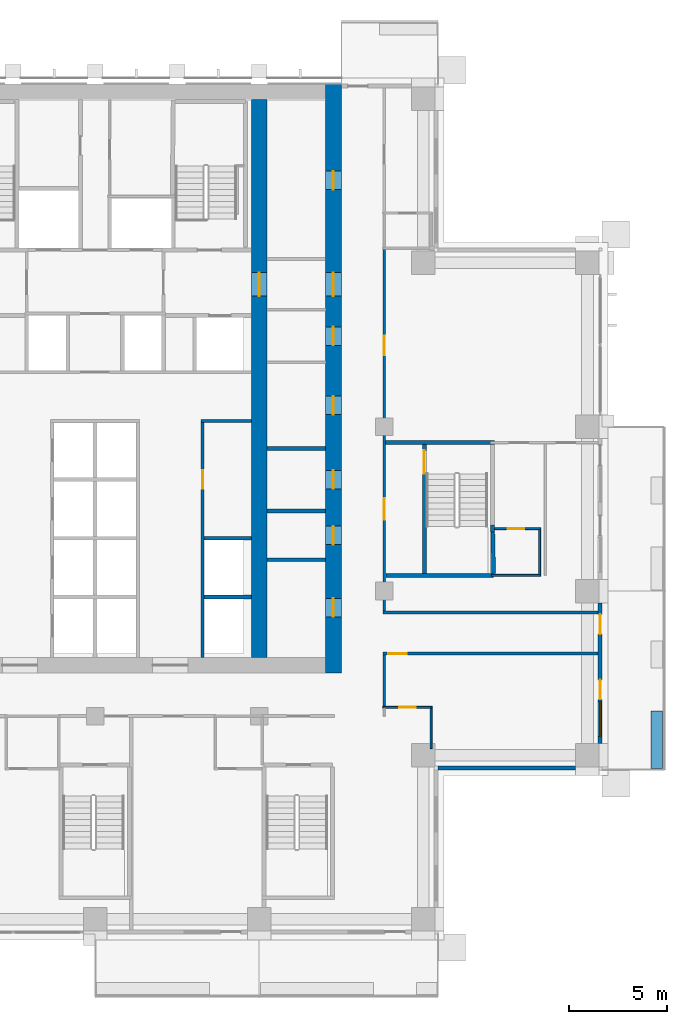
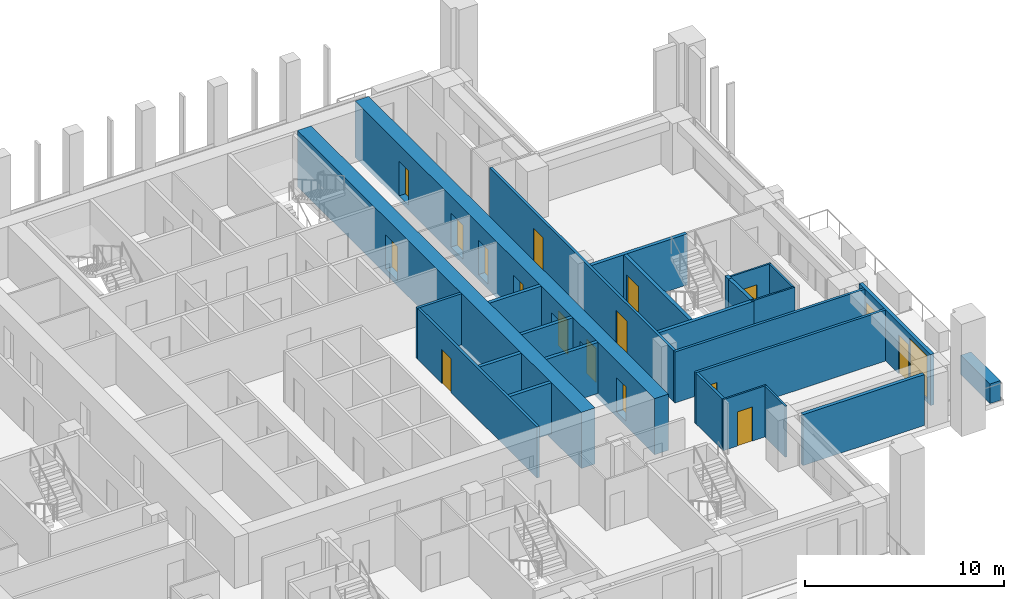
# One storey, part 11 of 19: 26 walls, 17 doors, 1 window, 18 openings.
"""IFC4 building model written with IfcOpenShell, lengths in metres."""

from ifc_helpers import new_model, si_unit, direction, frame, frame_2d, origin, place, context, subcontext, project, spatial, rectangle, extrude, material, layer, layer_set, type_object, element, fill, save


model = new_model("IFC4")

# Units and contexts
model_context = context("Model", 3, precision=1e-05, world=origin(), true_north=direction((0.0, 1.0)))
body_context = subcontext(model_context, "Body", "Model", "MODEL_VIEW")
ifc_project = project(units=[si_unit("LENGTHUNIT", "METRE"), si_unit("AREAUNIT", "SQUARE_METRE"), si_unit("VOLUMEUNIT", "CUBIC_METRE"), si_unit("PLANEANGLEUNIT", "RADIAN"), si_unit("MASSUNIT", "GRAM", prefix="KILO")], contexts=[model_context])

# Site, building, storey
site_placement = place(None, origin())
site = spatial("IfcSite", under=ifc_project, at=site_placement, CompositionType="ELEMENT")
building_placement = place(site_placement, origin())
building = spatial("IfcBuilding", under=site, at=building_placement, Name="Vermilion Ogive Tower", CompositionType="ELEMENT")
storey_placement = place(building_placement, frame((0.0, 0.0, 104.550048828125)))
storey = spatial("IfcBuildingStorey", under=building, at=storey_placement, Name="L26", CompositionType="ELEMENT", Elevation=104.550048828125)

# Wall, openings, doors
ifc_material_1 = material(Name="Concrete B80", Category="concrete")
ifc_layer_1 = layer(ifc_material_1, 0.800048828125)
ifc_layer_set_1 = layer_set([ifc_layer_1], Name="Core wall 800 B80")
wall_type_1 = type_object("IfcWallType", Name="Core wall 800 B80", PredefinedType="SHEAR", material=ifc_layer_set_1)
wall_1_placement = place(storey_placement, frame((12.199951171875, -8.39990234375, -0.320068359375), z_axis=(0.0, 0.0, 1.0), x_axis=(0.0, 1.0, 0.0)))
wall_1 = element("IfcWall", 1, at=wall_1_placement, inside=storey, type_object=wall_type_1, Name="L26-CORE-E", PredefinedType="SHEAR", context=body_context, shape_type="SweptSolid", body=[
    extrude(rectangle(XDim=30.14990234375, YDim=0.800048828125, at=frame_2d((15.074951171875, 0.0))), origin(), (0.0, 0.0, 1.0), 3.449951171875),
])
opening_1_placement = place(wall_1_placement, frame((2.875, 0.0, 0.320068359375)))
opening_1 = element("IfcOpeningElement", 2, at=opening_1_placement, cuts=wall_1, Name="Opening DAC050", PredefinedType="OPENING", context=body_context, shape_type="SweptSolid", body=[
    extrude(rectangle(XDim=0.949951171875, YDim=2.10009765625, at=frame_2d((0.47509765625, 1.050048828125))), frame((0.0, 0.409912109375, 0.0), z_axis=(0.0, -1.0, 0.0), x_axis=(1.0, 0.0, 0.0)), (0.0, 0.0, 1.0), 0.820068359375),
])
opening_2_placement = place(wall_1_placement, frame((6.574951171875, 0.0, 0.320068359375)))
opening_2 = element("IfcOpeningElement", 3, at=opening_2_placement, cuts=wall_1, Name="Opening DAC051", PredefinedType="OPENING", context=body_context, shape_type="SweptSolid", body=[
    extrude(rectangle(XDim=0.949951171875, YDim=2.10009765625, at=frame_2d((0.47509765625, 1.050048828125))), frame((0.0, 0.409912109375, 0.0), z_axis=(0.0, -1.0, 0.0), x_axis=(1.0, 0.0, 0.0)), (0.0, 0.0, 1.0), 0.820068359375),
])
opening_3_placement = place(wall_1_placement, frame((9.425048828125, 0.0, 0.320068359375)))
opening_3 = element("IfcOpeningElement", 4, at=opening_3_placement, cuts=wall_1, Name="Opening DAC052", PredefinedType="OPENING", context=body_context, shape_type="SweptSolid", body=[
    extrude(rectangle(XDim=0.949951171875, YDim=2.10009765625, at=frame_2d((0.47509765625, 1.050048828125))), frame((0.0, 0.409912109375, 0.0), z_axis=(0.0, -1.0, 0.0), x_axis=(1.0, 0.0, 0.0)), (0.0, 0.0, 1.0), 0.820068359375),
])
opening_4_placement = place(wall_1_placement, frame((13.22509765625, 0.0, 0.320068359375)))
opening_4 = element("IfcOpeningElement", 5, at=opening_4_placement, cuts=wall_1, Name="Opening DAC053", PredefinedType="OPENING", context=body_context, shape_type="SweptSolid", body=[
    extrude(rectangle(XDim=0.949951171875, YDim=2.10009765625, at=frame_2d((0.47509765625, 1.050048828125))), frame((0.0, 0.409912109375, 0.0), z_axis=(0.0, -1.0, 0.0), x_axis=(1.0, 0.0, 0.0)), (0.0, 0.0, 1.0), 0.820068359375),
])
opening_5_placement = place(wall_1_placement, frame((16.77490234375, 0.0, 0.320068359375)))
opening_5 = element("IfcOpeningElement", 6, at=opening_5_placement, cuts=wall_1, Name="Opening DAC054", PredefinedType="OPENING", context=body_context, shape_type="SweptSolid", body=[
    extrude(rectangle(XDim=0.949951171875, YDim=2.10009765625, at=frame_2d((0.47509765625, 1.050048828125))), frame((0.0, 0.409912109375, 0.0), z_axis=(0.0, -1.0, 0.0), x_axis=(1.0, 0.0, 0.0)), (0.0, 0.0, 1.0), 0.820068359375),
])
opening_6_placement = place(wall_1_placement, frame((24.75, 0.0, 0.320068359375)))
opening_6 = element("IfcOpeningElement", 7, at=opening_6_placement, cuts=wall_1, Name="Opening DAC055", PredefinedType="OPENING", context=body_context, shape_type="SweptSolid", body=[
    extrude(rectangle(XDim=0.949951171875, YDim=2.10009765625, at=frame_2d((0.47509765625, 1.050048828125))), frame((0.0, 0.409912109375, 0.0), z_axis=(0.0, -1.0, 0.0), x_axis=(1.0, 0.0, 0.0)), (0.0, 0.0, 1.0), 0.820068359375),
])
opening_7_placement = place(wall_1_placement, frame((19.300048828125, 0.0, 0.320068359375)))
opening_7 = element("IfcOpeningElement", 8, at=opening_7_placement, cuts=wall_1, Name="Opening DAL010", PredefinedType="OPENING", context=body_context, shape_type="SweptSolid", body=[
    extrude(rectangle(XDim=1.199951171875, YDim=2.10009765625, at=frame_2d((0.60009765625, 1.050048828125))), frame((0.0, 0.409912109375, 0.0), z_axis=(0.0, -1.0, 0.0), x_axis=(1.0, 0.0, 0.0)), (0.0, 0.0, 1.0), 0.820068359375),
])
ifc_material_2 = material(Name="Timber door leaf", Category="wood")
door_type_1 = type_object("IfcDoorType", Name="Link door 1200 x 2100 FD60S", OperationType="SINGLE_SWING_LEFT", PredefinedType="DOOR", material=ifc_material_2)
door_1_placement = place(opening_7_placement, origin())
door_1 = element("IfcDoor", 9, at=door_1_placement, inside=storey, type_object=door_type_1, Name="L26-CKE-XL", OperationType="SINGLE_SWING_LEFT", OverallHeight=2.10009765625, OverallWidth=1.199951171875, PredefinedType="DOOR", context=body_context, shape_type="SweptSolid", body=[
    extrude(rectangle(XDim=1.199951171875, YDim=2.10009765625, at=frame_2d((0.60009765625, 1.050048828125))), frame((0.0, 0.02490234375, 0.0), z_axis=(0.0, -1.0, 0.0), x_axis=(1.0, 0.0, 0.0)), (0.0, 0.0, 1.0), 0.050048828125),
])
fill(opening_7, door_1)
ifc_material_3 = material(Name="Timber door leaf", Category="wood")
door_type_2 = type_object("IfcDoorType", Name="Service door 950 x 2100 FD60", OperationType="SINGLE_SWING_LEFT", PredefinedType="DOOR", material=ifc_material_3)
door_2_placement = place(opening_1_placement, origin())
door_2 = element("IfcDoor", 10, at=door_2_placement, inside=storey, type_object=door_type_2, Name="L26-CKE-XR0", OperationType="SINGLE_SWING_LEFT", OverallHeight=2.10009765625, OverallWidth=0.949951171875, PredefinedType="DOOR", context=body_context, shape_type="SweptSolid", body=[
    extrude(rectangle(XDim=0.949951171875, YDim=2.10009765625, at=frame_2d((0.47509765625, 1.050048828125))), frame((0.0, 0.02490234375, 0.0), z_axis=(0.0, -1.0, 0.0), x_axis=(1.0, 0.0, 0.0)), (0.0, 0.0, 1.0), 0.050048828125),
])
fill(opening_1, door_2)
door_3_placement = place(opening_2_placement, origin())
door_3 = element("IfcDoor", 11, at=door_3_placement, inside=storey, type_object=door_type_2, Name="L26-CKE-XR1", OperationType="SINGLE_SWING_LEFT", OverallHeight=2.10009765625, OverallWidth=0.949951171875, PredefinedType="DOOR", context=body_context, shape_type="SweptSolid", body=[
    extrude(rectangle(XDim=0.949951171875, YDim=2.10009765625, at=frame_2d((0.47509765625, 1.050048828125))), frame((0.0, 0.02490234375, 0.0), z_axis=(0.0, -1.0, 0.0), x_axis=(1.0, 0.0, 0.0)), (0.0, 0.0, 1.0), 0.050048828125),
])
fill(opening_2, door_3)
door_4_placement = place(opening_3_placement, origin())
door_4 = element("IfcDoor", 12, at=door_4_placement, inside=storey, type_object=door_type_2, Name="L26-CKE-XR2", OperationType="SINGLE_SWING_LEFT", OverallHeight=2.10009765625, OverallWidth=0.949951171875, PredefinedType="DOOR", context=body_context, shape_type="SweptSolid", body=[
    extrude(rectangle(XDim=0.949951171875, YDim=2.10009765625, at=frame_2d((0.47509765625, 1.050048828125))), frame((0.0, 0.02490234375, 0.0), z_axis=(0.0, -1.0, 0.0), x_axis=(1.0, 0.0, 0.0)), (0.0, 0.0, 1.0), 0.050048828125),
])
fill(opening_3, door_4)
door_5_placement = place(opening_4_placement, origin())
door_5 = element("IfcDoor", 13, at=door_5_placement, inside=storey, type_object=door_type_2, Name="L26-CKE-XR3", OperationType="SINGLE_SWING_LEFT", OverallHeight=2.10009765625, OverallWidth=0.949951171875, PredefinedType="DOOR", context=body_context, shape_type="SweptSolid", body=[
    extrude(rectangle(XDim=0.949951171875, YDim=2.10009765625, at=frame_2d((0.47509765625, 1.050048828125))), frame((0.0, 0.02490234375, 0.0), z_axis=(0.0, -1.0, 0.0), x_axis=(1.0, 0.0, 0.0)), (0.0, 0.0, 1.0), 0.050048828125),
])
fill(opening_4, door_5)
door_6_placement = place(opening_5_placement, origin())
door_6 = element("IfcDoor", 14, at=door_6_placement, inside=storey, type_object=door_type_2, Name="L26-CKE-XR4", OperationType="SINGLE_SWING_LEFT", OverallHeight=2.10009765625, OverallWidth=0.949951171875, PredefinedType="DOOR", context=body_context, shape_type="SweptSolid", body=[
    extrude(rectangle(XDim=0.949951171875, YDim=2.10009765625, at=frame_2d((0.47509765625, 1.050048828125))), frame((0.0, 0.02490234375, 0.0), z_axis=(0.0, -1.0, 0.0), x_axis=(1.0, 0.0, 0.0)), (0.0, 0.0, 1.0), 0.050048828125),
])
fill(opening_5, door_6)
door_7_placement = place(opening_6_placement, origin())
door_7 = element("IfcDoor", 15, at=door_7_placement, inside=storey, type_object=door_type_2, Name="L26-CKE-XR5", OperationType="SINGLE_SWING_LEFT", OverallHeight=2.10009765625, OverallWidth=0.949951171875, PredefinedType="DOOR", context=body_context, shape_type="SweptSolid", body=[
    extrude(rectangle(XDim=0.949951171875, YDim=2.10009765625, at=frame_2d((0.47509765625, 1.050048828125))), frame((0.0, 0.02490234375, 0.0), z_axis=(0.0, -1.0, 0.0), x_axis=(1.0, 0.0, 0.0)), (0.0, 0.0, 1.0), 0.050048828125),
])
fill(opening_6, door_7)

# Wall, opening, door
wall_2_placement = place(storey_placement, frame((8.39990234375, -7.60009765625, -0.320068359375), z_axis=(0.0, 0.0, 1.0), x_axis=(0.0, 1.0, 0.0)))
wall_2 = element("IfcWall", 16, at=wall_2_placement, inside=storey, type_object=wall_type_1, Name="L26-CORE-WEB2", PredefinedType="SHEAR", context=body_context, shape_type="SweptSolid", body=[
    extrude(rectangle(XDim=28.550048828125, YDim=0.800048828125, at=frame_2d((14.27490234375, 0.0))), origin(), (0.0, 0.0, 1.0), 3.449951171875),
])
opening_8_placement = place(wall_2_placement, frame((18.5, 0.0, 0.320068359375)))
opening_8 = element("IfcOpeningElement", 17, at=opening_8_placement, cuts=wall_2, Name="Opening DAO010", PredefinedType="OPENING", context=body_context, shape_type="SweptSolid", body=[
    extrude(rectangle(XDim=1.199951171875, YDim=2.10009765625, at=frame_2d((0.60009765625, 1.050048828125))), frame((0.0, 0.409912109375, 0.0), z_axis=(0.0, -1.0, 0.0), x_axis=(1.0, 0.0, 0.0)), (0.0, 0.0, 1.0), 0.820068359375),
])
door_8_placement = place(opening_8_placement, origin())
door_8 = element("IfcDoor", 18, at=door_8_placement, inside=storey, type_object=door_type_1, Name="L26-CKE-XW", OperationType="SINGLE_SWING_LEFT", OverallHeight=2.10009765625, OverallWidth=1.199951171875, PredefinedType="DOOR", context=body_context, shape_type="SweptSolid", body=[
    extrude(rectangle(XDim=1.199951171875, YDim=2.10009765625, at=frame_2d((0.60009765625, 1.050048828125))), frame((0.0, 0.02490234375, 0.0), z_axis=(0.0, -1.0, 0.0), x_axis=(1.0, 0.0, 0.0)), (0.0, 0.0, 1.0), 0.050048828125),
])
fill(opening_8, door_8)

ifc_material_4 = material(Name="Gypsum board partition on steel studs", Category="steel")
ifc_layer_2 = layer(ifc_material_4, 0.10009765625)
ifc_layer_set_2 = layer_set([ifc_layer_2], Name="Partition 100 bath")
wall_type_2 = type_object("IfcWallType", Name="Partition 100 bath", PredefinedType="PARTITIONING", material=ifc_layer_set_2)
wall_3_placement = place(storey_placement, frame((14.72509765625, -10.159912109375, 0.0), z_axis=(0.0, 0.0, 1.0), x_axis=(1.0, 0.0, 0.0)))
wall_3 = element("IfcWall", 19, at=wall_3_placement, inside=storey, type_object=wall_type_2, Name="L26-W-W013", PredefinedType="PARTITIONING", context=body_context, shape_type="SweptSolid", body=[
    extrude(rectangle(XDim=2.52490234375, YDim=0.10009765625, at=frame_2d((1.262451171875, 0.0))), origin(), (0.0, 0.0, 1.0), 3.1298828125),
])
opening_9_placement = place(wall_3_placement, frame((0.849853515625, 0.0, 0.0)))
opening_9 = element("IfcOpeningElement", 20, at=opening_9_placement, cuts=wall_3, Name="Opening D2G4014", PredefinedType="OPENING", context=body_context, shape_type="SweptSolid", body=[
    extrude(rectangle(XDim=0.85009765625, YDim=2.10009765625, at=frame_2d((0.425048828125, 1.050048828125))), frame((0.0, 0.06005859375, 0.0), z_axis=(0.0, -1.0, 0.0), x_axis=(1.0, 0.0, 0.0)), (0.0, 0.0, 1.0), 0.1201171875),
])
ifc_material_5 = material(Name="Timber door leaf", Category="wood")
door_type_3 = type_object("IfcDoorType", Name="Bath door 850 x 2100 FD30", OperationType="SINGLE_SWING_LEFT", PredefinedType="DOOR", material=ifc_material_5)
door_9_placement = place(opening_9_placement, origin())
door_9 = element("IfcDoor", 21, at=door_9_placement, inside=storey, type_object=door_type_3, Name="L26-D-D014", OperationType="SINGLE_SWING_RIGHT", OverallHeight=2.10009765625, OverallWidth=0.85009765625, PredefinedType="DOOR", context=body_context, shape_type="SweptSolid", body=[
    extrude(rectangle(XDim=0.85009765625, YDim=2.10009765625, at=frame_2d((0.425048828125, 1.050048828125))), frame((0.0, 0.02490234375, 0.0), z_axis=(0.0, -1.0, 0.0), x_axis=(1.0, 0.0, 0.0)), (0.0, 0.0, 1.0), 0.050048828125),
])
fill(opening_9, door_9)

# Wall
wall_4_placement = place(storey_placement, frame((20.300048828125, -3.39990234375, 0.0), z_axis=(0.0, 0.0, 1.0), x_axis=(1.0, 0.0, 0.0)))
element("IfcWall", 22, at=wall_4_placement, inside=storey, type_object=wall_type_2, Name="L26-W-W021", PredefinedType="PARTITIONING", context=body_context, shape_type="SweptSolid", body=[
    extrude(rectangle(XDim=2.5, YDim=0.10009765625, at=frame_2d((1.25, 0.0))), origin(), (0.0, 0.0, 1.0), 3.1298828125),
])

# Wall, opening, door
wall_5_placement = place(storey_placement, frame((20.449951171875, -1.0, 0.0), z_axis=(0.0, 0.0, 1.0), x_axis=(1.0, 0.0, 0.0)))
wall_5 = element("IfcWall", 23, at=wall_5_placement, inside=storey, type_object=wall_type_2, Name="L26-W-W022", PredefinedType="PARTITIONING", context=body_context, shape_type="SweptSolid", body=[
    extrude(rectangle(XDim=2.35009765625, YDim=0.10009765625, at=frame_2d((1.175048828125, 0.0))), origin(), (0.0, 0.0, 1.0), 3.1298828125),
])
opening_10_placement = place(wall_5_placement, frame((0.675048828125, 0.0, 0.0)))
opening_10 = element("IfcOpeningElement", 24, at=opening_10_placement, cuts=wall_5, Name="Opening D2G4018", PredefinedType="OPENING", context=body_context, shape_type="SweptSolid", body=[
    extrude(rectangle(XDim=0.85009765625, YDim=2.10009765625, at=frame_2d((0.425048828125, 1.050048828125))), frame((0.0, 0.06005859375, 0.0), z_axis=(0.0, -1.0, 0.0), x_axis=(1.0, 0.0, 0.0)), (0.0, 0.0, 1.0), 0.1201171875),
])
door_10_placement = place(opening_10_placement, origin())
door_10 = element("IfcDoor", 25, at=door_10_placement, inside=storey, type_object=door_type_3, Name="L26-D-D018", OperationType="SINGLE_SWING_RIGHT", OverallHeight=2.10009765625, OverallWidth=0.85009765625, PredefinedType="DOOR", context=body_context, shape_type="SweptSolid", body=[
    extrude(rectangle(XDim=0.85009765625, YDim=2.10009765625, at=frame_2d((0.425048828125, 1.050048828125))), frame((0.0, 0.02490234375, 0.0), z_axis=(0.0, -1.0, 0.0), x_axis=(1.0, 0.0, 0.0)), (0.0, 0.0, 1.0), 0.050048828125),
])
fill(opening_10, door_10)

# Walls
wall_6_placement = place(storey_placement, frame((17.199951171875, -12.260009765625, 0.0), z_axis=(0.0, 0.0, 1.0), x_axis=(0.0, 1.0, 0.0)))
element("IfcWall", 26, at=wall_6_placement, inside=storey, type_object=wall_type_2, Name="L26-W-W059", PredefinedType="PARTITIONING", context=body_context, shape_type="SweptSolid", body=[
    extrude(rectangle(XDim=2.050048828125, YDim=0.10009765625, at=frame_2d((1.02490234375, 0.0))), origin(), (0.0, 0.0, 1.0), 3.1298828125),
])
wall_7_placement = place(storey_placement, frame((22.75, -3.35009765625, 0.0), z_axis=(0.0, 0.0, 1.0), x_axis=(0.0, 1.0, 0.0)))
element("IfcWall", 27, at=wall_7_placement, inside=storey, type_object=wall_type_2, Name="L26-W-W063", PredefinedType="PARTITIONING", context=body_context, shape_type="SweptSolid", body=[
    extrude(rectangle(XDim=2.300048828125, YDim=0.10009765625, at=frame_2d((1.14990234375, 0.0))), origin(), (0.0, 0.0, 1.0), 3.1298828125),
])

# Wall, opening, door
ifc_material_6 = material(Name="Gypsum board partition on steel studs", Category="steel")
ifc_layer_3 = layer(ifc_material_6, 0.14990234375)
ifc_layer_set_3 = layer_set([ifc_layer_3], Name="Partition 150 corridor")
wall_type_3 = type_object("IfcWallType", Name="Partition 150 corridor", PredefinedType="PARTITIONING", material=ifc_layer_set_3)
wall_8_placement = place(storey_placement, frame((14.72509765625, -7.39990234375, 0.0), z_axis=(0.0, 0.0, 1.0), x_axis=(1.0, 0.0, 0.0)))
wall_8 = element("IfcWall", 28, at=wall_8_placement, inside=storey, type_object=wall_type_3, Name="L26-W-W015", PredefinedType="PARTITIONING", context=body_context, shape_type="SweptSolid", body=[
    extrude(rectangle(XDim=11.02490234375, YDim=0.14990234375, at=frame_2d((5.512451171875, 0.0))), origin(), (0.0, 0.0, 1.0), 3.1298828125),
])
opening_11_placement = place(wall_8_placement, frame((0.27490234375, 0.0, 0.0)))
opening_11 = element("IfcOpeningElement", 29, at=opening_11_placement, cuts=wall_8, Name="Opening D2G4013", PredefinedType="OPENING", context=body_context, shape_type="SweptSolid", body=[
    extrude(rectangle(XDim=0.949951171875, YDim=2.10009765625, at=frame_2d((0.47509765625, 1.050048828125))), frame((0.0, 0.0849609375, 0.0), z_axis=(0.0, -1.0, 0.0), x_axis=(1.0, 0.0, 0.0)), (0.0, 0.0, 1.0), 0.169921875),
])
ifc_material_7 = material(Name="Timber door leaf", Category="wood")
door_type_4 = type_object("IfcDoorType", Name="Unit door 950 x 2100 FD30S", OperationType="SINGLE_SWING_LEFT", PredefinedType="DOOR", material=ifc_material_7)
door_11_placement = place(opening_11_placement, origin())
door_11 = element("IfcDoor", 30, at=door_11_placement, inside=storey, type_object=door_type_4, Name="L26-D-D013", OperationType="SINGLE_SWING_RIGHT", OverallHeight=2.10009765625, OverallWidth=0.949951171875, PredefinedType="DOOR", context=body_context, shape_type="SweptSolid", body=[
    extrude(rectangle(XDim=0.949951171875, YDim=2.10009765625, at=frame_2d((0.47509765625, 1.050048828125))), frame((0.0, 0.02490234375, 0.0), z_axis=(0.0, -1.0, 0.0), x_axis=(1.0, 0.0, 0.0)), (0.0, 0.0, 1.0), 0.050048828125),
])
fill(opening_11, door_11)

# Walls
wall_9_placement = place(storey_placement, frame((14.72705078125, -5.300048828125, 0.0), z_axis=(0.0, 0.0, 1.0), x_axis=(1.0, 0.0, 0.0)))
element("IfcWall", 31, at=wall_9_placement, inside=storey, type_object=wall_type_3, Name="L26-W-W017", PredefinedType="PARTITIONING", context=body_context, shape_type="SweptSolid", body=[
    extrude(rectangle(XDim=11.02294921875, YDim=0.14990234375, at=frame_2d((5.511474609375, 0.0))), origin(), (0.0, 0.0, 1.0), 3.1298828125),
])
wall_10_placement = place(storey_placement, frame((14.800048828125, -10.110107421875, 0.0), z_axis=(0.0, 0.0, 1.0), x_axis=(0.0, 1.0, 0.0)))
element("IfcWall", 32, at=wall_10_placement, inside=storey, type_object=wall_type_3, Name="L26-W-W054", PredefinedType="PARTITIONING", context=body_context, shape_type="SweptSolid", body=[
    extrude(rectangle(XDim=2.635009765625, YDim=0.14990234375, at=frame_2d((1.3173828125, 0.0))), origin(), (0.0, 0.0, 1.0), 3.1298828125),
])

# Wall, openings, doors
wall_11_placement = place(storey_placement, frame((14.800048828125, -5.222900390625, 0.0), z_axis=(0.0, 0.0, 1.0), x_axis=(0.0, 1.0, 0.0)))
wall_11 = element("IfcWall", 33, at=wall_11_placement, inside=storey, type_object=wall_type_3, Name="L26-W-W055", PredefinedType="PARTITIONING", context=body_context, shape_type="SweptSolid", body=[
    extrude(rectangle(XDim=18.52294921875, YDim=0.14990234375, at=frame_2d((9.261474609375, 0.0))), origin(), (0.0, 0.0, 1.0), 3.1298828125),
])
opening_12_placement = place(wall_11_placement, frame((13.097900390625, 0.0, 0.0)))
opening_12 = element("IfcOpeningElement", 34, at=opening_12_placement, cuts=wall_11, Name="Opening D2G4016", PredefinedType="OPENING", context=body_context, shape_type="SweptSolid", body=[
    extrude(rectangle(XDim=1.0, YDim=2.10009765625, at=frame_2d((0.5, 1.050048828125))), frame((0.0, 0.0849609375, 0.0), z_axis=(0.0, -1.0, 0.0), x_axis=(1.0, 0.0, 0.0)), (0.0, 0.0, 1.0), 0.169921875),
])
opening_13_placement = place(wall_11_placement, frame((4.6728515625, 0.0, 0.0)))
opening_13 = element("IfcOpeningElement", 35, at=opening_13_placement, cuts=wall_11, Name="Opening D2G4027", PredefinedType="OPENING", context=body_context, shape_type="SweptSolid", body=[
    extrude(rectangle(XDim=1.10009765625, YDim=2.10009765625, at=frame_2d((0.550048828125, 1.050048828125))), frame((0.0, 0.0849609375, 0.0), z_axis=(0.0, -1.0, 0.0), x_axis=(1.0, 0.0, 0.0)), (0.0, 0.0, 1.0), 0.169921875),
])
ifc_material_8 = material(Name="Timber door leaf", Category="wood")
door_type_5 = type_object("IfcDoorType", Name="Stair door 1100 x 2100 FD60S", OperationType="SINGLE_SWING_LEFT", PredefinedType="DOOR", material=ifc_material_8)
door_12_placement = place(opening_13_placement, origin())
door_12 = element("IfcDoor", 36, at=door_12_placement, inside=storey, type_object=door_type_5, Name="L26-D-D027", OperationType="SINGLE_SWING_RIGHT", OverallHeight=2.10009765625, OverallWidth=1.10009765625, PredefinedType="DOOR", context=body_context, shape_type="SweptSolid", body=[
    extrude(rectangle(XDim=1.10009765625, YDim=2.10009765625, at=frame_2d((0.550048828125, 1.050048828125))), frame((0.0, 0.02490234375, 0.0), z_axis=(0.0, -1.0, 0.0), x_axis=(1.0, 0.0, 0.0)), (0.0, 0.0, 1.0), 0.050048828125),
])
fill(opening_13, door_12)
ifc_material_9 = material(Name="Timber door leaf", Category="wood")
door_type_6 = type_object("IfcDoorType", Name="Unit door 1000 x 2100 FD30S", OperationType="SINGLE_SWING_LEFT", PredefinedType="DOOR", material=ifc_material_9)
door_13_placement = place(opening_12_placement, origin())
door_13 = element("IfcDoor", 37, at=door_13_placement, inside=storey, type_object=door_type_6, Name="L26-D-D016", OperationType="SINGLE_SWING_RIGHT", OverallHeight=2.10009765625, OverallWidth=1.0, PredefinedType="DOOR", context=body_context, shape_type="SweptSolid", body=[
    extrude(rectangle(XDim=1.0, YDim=2.10009765625, at=frame_2d((0.5, 1.050048828125))), frame((0.0, 0.02490234375, 0.0), z_axis=(0.0, -1.0, 0.0), x_axis=(1.0, 0.0, 0.0)), (0.0, 0.0, 1.0), 0.050048828125),
])
fill(opening_12, door_13)

# Wall
wall_12_placement = place(storey_placement, frame((5.425048828125, 4.5, 0.0), z_axis=(0.0, 0.0, 1.0), x_axis=(1.0, 0.0, 0.0)))
element("IfcWall", 38, at=wall_12_placement, inside=storey, type_object=wall_type_3, Name="L26-CK-W-W011", PredefinedType="PARTITIONING", context=body_context, shape_type="SweptSolid", body=[
    extrude(rectangle(XDim=2.573974609375, YDim=0.14990234375, at=frame_2d((1.287109375, 0.0))), origin(), (0.0, 0.0, 1.0), 3.1298828125),
])

# Wall, opening, door
wall_13_placement = place(storey_placement, frame((5.5, -7.59912109375, 0.0), z_axis=(0.0, 0.0, 1.0), x_axis=(0.0, 1.0, 0.0)))
wall_13 = element("IfcWall", 39, at=wall_13_placement, inside=storey, type_object=wall_type_3, Name="L26-CK-W-W039", PredefinedType="PARTITIONING", context=body_context, shape_type="SweptSolid", body=[
    extrude(rectangle(XDim=12.024169921875, YDim=0.14990234375, at=frame_2d((6.01220703125, 0.0))), origin(), (0.0, 0.0, 1.0), 3.1298828125),
])
opening_14_placement = place(wall_13_placement, frame((8.6240234375, 0.0, 0.0)))
opening_14 = element("IfcOpeningElement", 40, at=opening_14_placement, cuts=wall_13, Name="Opening DAA213", PredefinedType="OPENING", context=body_context, shape_type="SweptSolid", body=[
    extrude(rectangle(XDim=0.949951171875, YDim=2.10009765625, at=frame_2d((0.47509765625, 1.050048828125))), frame((0.0, 0.0849609375, 0.0), z_axis=(0.0, -1.0, 0.0), x_axis=(1.0, 0.0, 0.0)), (0.0, 0.0, 1.0), 0.169921875),
])
door_14_placement = place(opening_14_placement, origin())
door_14 = element("IfcDoor", 41, at=door_14_placement, inside=storey, type_object=door_type_2, Name="L26-CK-D-D009", OperationType="SINGLE_SWING_LEFT", OverallHeight=2.10009765625, OverallWidth=0.949951171875, PredefinedType="DOOR", context=body_context, shape_type="SweptSolid", body=[
    extrude(rectangle(XDim=0.949951171875, YDim=2.10009765625, at=frame_2d((0.47509765625, 1.050048828125))), frame((0.0, 0.02490234375, 0.0), z_axis=(0.0, -1.0, 0.0), x_axis=(1.0, 0.0, 0.0)), (0.0, 0.0, 1.0), 0.050048828125),
])
fill(opening_14, door_14)

# Walls
ifc_material_10 = material(Name="Gypsum board partition on steel studs", Category="steel")
ifc_layer_4 = layer(ifc_material_10, 0.199951171875)
ifc_layer_set_4 = layer_set([ifc_layer_4], Name="Partition 200 party")
wall_type_4 = type_object("IfcWallType", Name="Partition 200 party", PredefinedType="PARTITIONING", material=ifc_layer_set_4)
for number, where, z_axis, x_axis, name in (
    (42, (5.574951171875, -4.5, 0.0), (0.0, 0.0, 1.0), (1.0, 0.0, 0.0), "L26-CK-W-W003"),
    (43, (5.574951171875, -1.5, 0.0), (0.0, 0.0, 1.0), (1.0, 0.0, 0.0), "L26-CK-W-W006"),
):
    element("IfcWall", number, at=place(storey_placement, frame(where, z_axis=z_axis, x_axis=x_axis)), inside=storey, type_object=wall_type_4, Name=name, PredefinedType="PARTITIONING", context=body_context, shape_type="SweptSolid", body=[
        extrude(rectangle(XDim=2.424072265625, YDim=0.199951171875, at=frame_2d((1.2119140625, 0.0))), origin(), (0.0, 0.0, 1.0), 3.1298828125),
    ])
for number, where, z_axis, x_axis, name in (
    (44, (8.801025390625, -2.60009765625, 0.0), (0.0, 0.0, 1.0), (1.0, 0.0, 0.0), "L26-CKE-W-W001"),
    (45, (8.801025390625, -0.10009765625, 0.0), (0.0, 0.0, 1.0), (1.0, 0.0, 0.0), "L26-CKE-W-W002"),
    (46, (8.801025390625, 3.10009765625, 0.0), (0.0, 0.0, 1.0), (1.0, 0.0, 0.0), "L26-CKE-W-W003"),
):
    element("IfcWall", number, at=place(storey_placement, frame(where, z_axis=z_axis, x_axis=x_axis)), inside=storey, type_object=wall_type_4, Name=name, PredefinedType="PARTITIONING", context=body_context, shape_type="SweptSolid", body=[
        extrude(rectangle(XDim=2.998046875, YDim=0.199951171875, at=frame_2d((1.4990234375, 0.0))), origin(), (0.0, 0.0, 1.0), 3.1298828125),
    ])
ifc_material_11 = material(Name="Concrete B60", Category="concrete")
ifc_layer_5 = layer(ifc_material_11, 0.199951171875)
ifc_layer_set_5 = layer_set([ifc_layer_5], Name="Stair shaft wall 200 Concrete B60")
wall_type_5 = type_object("IfcWallType", Name="Stair shaft wall 200 Concrete B60", PredefinedType="SOLIDWALL", material=ifc_layer_set_5)
wall_14_placement = place(storey_placement, frame((14.876953125, -3.39990234375, 0.0), z_axis=(0.0, 0.0, 1.0), x_axis=(1.0, 0.0, 0.0)))
element("IfcWall", 47, at=wall_14_placement, inside=storey, type_object=wall_type_5, Name="L26-W-W020", PredefinedType="SOLIDWALL", context=body_context, shape_type="SweptSolid", body=[
    extrude(rectangle(XDim=5.52294921875, YDim=0.199951171875, at=frame_2d((2.761474609375, 0.0))), origin(), (0.0, 0.0, 1.0), 3.1298828125),
])
wall_15_placement = place(storey_placement, frame((14.875, 3.39990234375, 0.0), z_axis=(0.0, 0.0, 1.0), x_axis=(1.0, 0.0, 0.0)))
element("IfcWall", 48, at=wall_15_placement, inside=storey, type_object=wall_type_5, Name="L26-W-W026", PredefinedType="SOLIDWALL", context=body_context, shape_type="SweptSolid", body=[
    extrude(rectangle(XDim=5.574951171875, YDim=0.199951171875, at=frame_2d((2.78759765625, 0.0))), origin(), (0.0, 0.0, 1.0), 3.1298828125),
])

# Wall, opening, door
wall_16_placement = place(storey_placement, frame((16.85009765625, -3.300048828125, 0.0), z_axis=(0.0, 0.0, 1.0), x_axis=(0.0, 1.0, 0.0)))
wall_16 = element("IfcWall", 49, at=wall_16_placement, inside=storey, type_object=wall_type_5, Name="L26-W-W058", PredefinedType="SOLIDWALL", context=body_context, shape_type="SweptSolid", body=[
    extrude(rectangle(XDim=6.60009765625, YDim=0.199951171875, at=frame_2d((3.300048828125, 0.0))), origin(), (0.0, 0.0, 1.0), 3.1298828125),
])
opening_15_placement = place(wall_16_placement, frame((5.10009765625, 0.0, 0.0)))
opening_15 = element("IfcOpeningElement", 50, at=opening_15_placement, cuts=wall_16, Name="Opening D2G4028", PredefinedType="OPENING", context=body_context, shape_type="SweptSolid", body=[
    extrude(rectangle(XDim=1.199951171875, YDim=2.10009765625, at=frame_2d((0.60009765625, 1.050048828125))), frame((0.0, 0.10986328125, 0.0), z_axis=(0.0, -1.0, 0.0), x_axis=(1.0, 0.0, 0.0)), (0.0, 0.0, 1.0), 0.219970703125),
])
ifc_material_12 = material(Name="Timber door leaf", Category="wood")
door_type_7 = type_object("IfcDoorType", Name="Stair door 1200 x 2100 FD60S", OperationType="SINGLE_SWING_LEFT", PredefinedType="DOOR", material=ifc_material_12)
door_15_placement = place(opening_15_placement, origin())
door_15 = element("IfcDoor", 51, at=door_15_placement, inside=storey, type_object=door_type_7, Name="L26-D-D028", OperationType="SINGLE_SWING_LEFT", OverallHeight=2.10009765625, OverallWidth=1.199951171875, PredefinedType="DOOR", context=body_context, shape_type="SweptSolid", body=[
    extrude(rectangle(XDim=1.199951171875, YDim=2.10009765625, at=frame_2d((0.60009765625, 1.050048828125))), frame((0.0, 0.02490234375, 0.0), z_axis=(0.0, -1.0, 0.0), x_axis=(1.0, 0.0, 0.0)), (0.0, 0.0, 1.0), 0.050048828125),
])
fill(opening_15, door_15)

# Walls
wall_17_placement = place(storey_placement, frame((20.400146484375, -3.300048828125, 0.0), z_axis=(0.0, 0.0, 1.0), x_axis=(-0.021771342749, 0.999762976227, 0.0)))
element("IfcWall", 52, at=wall_17_placement, inside=storey, type_object=wall_type_5, Name="L26-W-W061", PredefinedType="SOLIDWALL", context=body_context, shape_type="SweptSolid", body=[
    extrude(rectangle(XDim=2.130615234375, YDim=0.199951171875, at=frame_2d((1.0654296875, 0.0))), origin(), (0.0, 0.0, 1.0), 3.1298828125),
])
wall_18_placement = place(storey_placement, frame((20.35009765625, -1.169921875, 0.0), z_axis=(0.0, 0.0, 1.0), x_axis=(0.0, 1.0, 0.0)))
element("IfcWall", 53, at=wall_18_placement, inside=storey, type_object=wall_type_5, Name="L26-SW-ST8-E1", PredefinedType="SOLIDWALL", context=body_context, shape_type="SweptSolid", body=[
    extrude(rectangle(XDim=0.33984375, YDim=0.199951171875, at=frame_2d((0.169921875, 0.0))), origin(), (0.0, 0.0, 1.0), 3.1298828125),
])
ifc_material_13 = material(Name="Concrete B40", Category="concrete")
ifc_layer_6 = layer(ifc_material_13, 0.60009765625)
ifc_layer_set_6 = layer_set([ifc_layer_6], Name="Structural planter")
wall_type_6 = type_object("IfcWallType", Name="Structural planter", PredefinedType="USERDEFINED", material=ifc_layer_set_6)
wall_19_placement = place(storey_placement, frame((28.75, -13.2900390625, -0.0400390625), z_axis=(0.0, 0.0, 1.0), x_axis=(0.0, 1.0, 0.0)))
element("IfcWall", 54, at=wall_19_placement, inside=storey, type_object=wall_type_6, Name="Planter E01A1", ObjectType="PLANTER", PredefinedType="USERDEFINED", context=body_context, shape_type="SweptSolid", body=[
    extrude(rectangle(XDim=2.93994140625, YDim=0.60009765625, at=frame_2d((1.469970703125, 0.0))), origin(), (0.0, 0.0, 1.0), 1.199951171875),
])
ifc_material_14 = material(Name="Aluminium window wall framing", Category="aluminium")
ifc_layer_7 = layer(ifc_material_14, 0.199951171875)
ifc_layer_set_7 = layer_set([ifc_layer_7], Name="Window wall")
wall_type_7 = type_object("IfcWallType", Name="Window wall", PredefinedType="STANDARD", material=ifc_layer_set_7)
wall_20_placement = place(storey_placement, frame((17.550048828125, -13.25, 0.0), z_axis=(0.0, 0.0, 1.0), x_axis=(1.0, 0.0, 0.0)))
element("IfcWall", 55, at=wall_20_placement, inside=storey, type_object=wall_type_7, Name="Window wall X21", PredefinedType="STANDARD", context=body_context, shape_type="SweptSolid", body=[
    extrude(rectangle(XDim=7.050048828125, YDim=0.199951171875, at=frame_2d((3.52490234375, 0.0))), origin(), (0.0, 0.0, 1.0), 3.1298828125),
])

# Wall, openings, doors, window
wall_21_placement = place(storey_placement, frame((25.85009765625, -12.0, 0.0), z_axis=(0.0, 0.0, 1.0), x_axis=(0.0, 1.0, 0.0)))
wall_21 = element("IfcWall", 56, at=wall_21_placement, inside=storey, type_object=wall_type_7, Name="Window wall E1", PredefinedType="STANDARD", context=body_context, shape_type="SweptSolid", body=[
    extrude(rectangle(XDim=7.199951171875, YDim=0.199951171875, at=frame_2d((3.60009765625, 0.0))), origin(), (0.0, 0.0, 1.0), 3.1298828125),
])
opening_16_placement = place(wall_21_placement, frame((0.35009765625, 0.0, 0.199951171875)))
opening_16 = element("IfcOpeningElement", 57, at=opening_16_placement, cuts=wall_21, Name="Opening W1-E97", PredefinedType="OPENING", context=body_context, shape_type="SweptSolid", body=[
    extrude(rectangle(XDim=1.800048828125, YDim=2.64990234375, at=frame_2d((0.89990234375, 1.324951171875))), frame((0.0, 0.10986328125, 0.0), z_axis=(0.0, -1.0, 0.0), x_axis=(1.0, 0.0, 0.0)), (0.0, 0.0, 1.0), 0.219970703125),
])
opening_17_placement = place(wall_21_placement, frame((2.25, 0.0, 0.0)))
opening_17 = element("IfcOpeningElement", 58, at=opening_17_placement, cuts=wall_21, Name="Opening D1-E97", PredefinedType="OPENING", context=body_context, shape_type="SweptSolid", body=[
    extrude(rectangle(XDim=1.0, YDim=2.39990234375, at=frame_2d((0.5, 1.199951171875))), frame((0.0, 0.10986328125, 0.0), z_axis=(0.0, -1.0, 0.0), x_axis=(1.0, 0.0, 0.0)), (0.0, 0.0, 1.0), 0.219970703125),
])
opening_18_placement = place(wall_21_placement, frame((5.60009765625, 0.0, 0.0)))
opening_18 = element("IfcOpeningElement", 59, at=opening_18_placement, cuts=wall_21, Name="Opening D1-E98", PredefinedType="OPENING", context=body_context, shape_type="SweptSolid", body=[
    extrude(rectangle(XDim=1.0, YDim=2.39990234375, at=frame_2d((0.5, 1.199951171875))), frame((0.0, 0.10986328125, 0.0), z_axis=(0.0, -1.0, 0.0), x_axis=(1.0, 0.0, 0.0)), (0.0, 0.0, 1.0), 0.219970703125),
])
ifc_material_15 = material(Name="Aluminium framed glazed door", Category="aluminium")
door_type_8 = type_object("IfcDoorType", Name="Balcony door D1", OperationType="SINGLE_SWING_LEFT", PredefinedType="DOOR", material=ifc_material_15)
door_16_placement = place(opening_17_placement, origin())
door_16 = element("IfcDoor", 60, at=door_16_placement, inside=storey, type_object=door_type_8, Name="Balcony door E97", OperationType="SINGLE_SWING_LEFT", OverallHeight=2.39990234375, OverallWidth=1.0, PredefinedType="DOOR", context=body_context, shape_type="SweptSolid", body=[
    extrude(rectangle(XDim=1.0, YDim=2.39990234375, at=frame_2d((0.5, 1.199951171875))), frame((0.0, 0.02490234375, 0.0), z_axis=(0.0, -1.0, 0.0), x_axis=(1.0, 0.0, 0.0)), (0.0, 0.0, 1.0), 0.050048828125),
])
fill(opening_17, door_16)
door_17_placement = place(opening_18_placement, origin())
door_17 = element("IfcDoor", 61, at=door_17_placement, inside=storey, type_object=door_type_8, Name="Balcony door E98", OperationType="SINGLE_SWING_LEFT", OverallHeight=2.39990234375, OverallWidth=1.0, PredefinedType="DOOR", context=body_context, shape_type="SweptSolid", body=[
    extrude(rectangle(XDim=1.0, YDim=2.39990234375, at=frame_2d((0.5, 1.199951171875))), frame((0.0, 0.02490234375, 0.0), z_axis=(0.0, -1.0, 0.0), x_axis=(1.0, 0.0, 0.0)), (0.0, 0.0, 1.0), 0.050048828125),
])
fill(opening_18, door_17)
ifc_material_16 = material(Name="Aluminium framed double glazing", Category="aluminium")
window_type = type_object("IfcWindowType", Name="Guest window W1", PartitioningType="SINGLE_PANEL", PredefinedType="WINDOW", material=ifc_material_16)
window_placement = place(opening_16_placement, origin())
window = element("IfcWindow", 62, at=window_placement, inside=storey, type_object=window_type, Name="Window E97", OverallHeight=2.64990234375, OverallWidth=1.800048828125, PartitioningType="SINGLE_PANEL", PredefinedType="WINDOW", context=body_context, shape_type="SweptSolid", body=[
    extrude(rectangle(XDim=1.800048828125, YDim=2.64990234375, at=frame_2d((0.89990234375, 1.324951171875))), frame((0.0, 0.030029296875, 0.0), z_axis=(0.0, -1.0, 0.0), x_axis=(1.0, 0.0, 0.0)), (0.0, 0.0, 1.0), 0.06005859375),
])
fill(opening_16, window)

save(model, "model.ifc")
